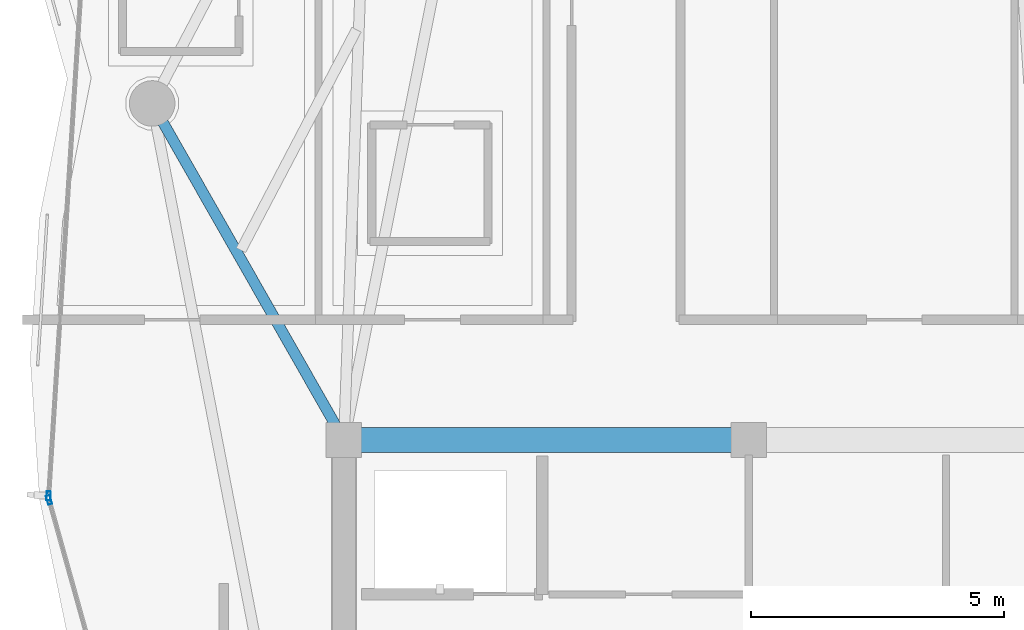
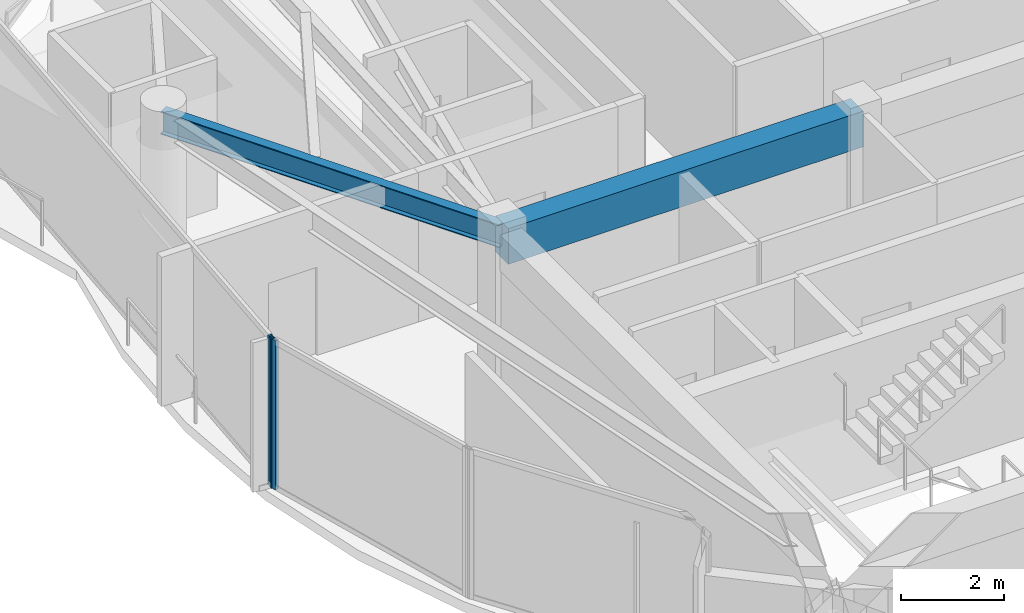
# One storey, part 9 of 30: 2 beams, 2 members, 2 elements without a shape of their own.
"""IFC4 building model written with IfcOpenShell, lengths in metres."""

from ifc_helpers import new_model, si_unit, direction, frame, origin, origin_2d, place, context, subcontext, project, spatial, rectangle, hollow_rectangle, i_section, extrude, material, layer, layer_set, material_profile, profile_set, type_object, element, aggregate, save


model = new_model("IFC4")

# Units and contexts
model_context = context("Model", 3, precision=1e-05, world=origin(), true_north=direction((0.0, 1.0)))
body_context = subcontext(model_context, "Body", "Model", "MODEL_VIEW")
ifc_project = project(units=[si_unit("LENGTHUNIT", "METRE"), si_unit("AREAUNIT", "SQUARE_METRE"), si_unit("VOLUMEUNIT", "CUBIC_METRE"), si_unit("PLANEANGLEUNIT", "RADIAN"), si_unit("MASSUNIT", "GRAM", prefix="KILO")], contexts=[model_context])

# Site, building, storey
site_placement = place(None, origin())
site = spatial("IfcSite", under=ifc_project, at=site_placement, CompositionType="ELEMENT")
building_placement = place(site_placement, origin())
building = spatial("IfcBuilding", under=site, at=building_placement, Name="Kazevale Care Tower and Concert Hall", CompositionType="ELEMENT")
storey_placement = place(building_placement, frame((0.0, 0.0, 258.60009765625)))
storey = spatial("IfcBuildingStorey", under=building, at=storey_placement, Name="L68", CompositionType="ELEMENT", Elevation=258.60009765625)

# Curtain wall, member
ifc_material_1 = material(Name="Aluminium 6063-T6 and Low-E Glass", Category="aluminium")
ifc_layer = layer(ifc_material_1, 0.179931640625)
ifc_layer_set = layer_set([ifc_layer], Name="Aluminium 6063-T6 and Low-E Glass")
curtain_wall_type = type_object("IfcCurtainWallType", Name="Waist & Upper Residential Curtain Wall CW-4", PredefinedType="NOTDEFINED", material=ifc_layer_set)
curtain_wall_1_placement = place(storey_placement, origin())
curtain_wall_1 = element("IfcCurtainWall", 1, at=curtain_wall_1_placement, inside=storey, type_object=curtain_wall_type, Name="cw:L68:f12", PredefinedType="NOTDEFINED")
ifc_material_2 = material(Name="Aluminium 6063-T6", Category="aluminium")
ifc_material_profile_1 = material_profile(ifc_material_2, hollow_rectangle(XDim=0.080078125, YDim=0.179931640625, WallThickness=0.0048828125, at=origin_2d()), Name="ALU80x180x5")
ifc_profile_set_1 = profile_set([ifc_material_profile_1], Name="Aluminium 6063-T6")
member_type = type_object("IfcMemberType", Name="CW-4 Mullion ALU80x180x5", PredefinedType="MULLION", material=ifc_profile_set_1)
member_1_placement = place(storey_placement, frame((16.1728515625, 35.215576171875, 0.0), z_axis=(0.0, 0.0, 1.0), x_axis=(-0.963194056491, -0.268807011704, 0.0)))
member_1 = element("IfcMember", 2, at=member_1_placement, type_object=member_type, Name="CW-4 mullion 2", PredefinedType="MULLION", context=body_context, shape_type="SweptSolid", body=[
    extrude(hollow_rectangle(XDim=0.080078125, YDim=0.179931640625, WallThickness=0.0048828125, at=origin_2d()), origin(), (0.0, 0.0, 1.0), 3.559814453125),
])
aggregate(curtain_wall_1, [member_1])

curtain_wall_2_placement = place(storey_placement, origin())
curtain_wall_2 = element("IfcCurtainWall", 3, at=curtain_wall_2_placement, inside=storey, type_object=curtain_wall_type, Name="cw:L68:f13", PredefinedType="NOTDEFINED")
member_2_placement = place(storey_placement, frame((16.16455078125, 35.2939453125, 0.0), z_axis=(0.0, 0.0, 1.0), x_axis=(-0.997979198047, 0.063541484604, 0.0)))
member_2 = element("IfcMember", 4, at=member_2_placement, type_object=member_type, Name="CW-4 mullion 1", PredefinedType="MULLION", context=body_context, shape_type="SweptSolid", body=[
    extrude(hollow_rectangle(XDim=0.080078125, YDim=0.179931640625, WallThickness=0.0048828125, at=origin_2d()), origin(), (0.0, 0.0, 1.0), 3.559814453125),
])
aggregate(curtain_wall_2, [member_2])

# Beams
ifc_material_3 = material(Name="Concrete C60", Category="concrete")
ifc_material_profile_2 = material_profile(ifc_material_3, rectangle(XDim=0.5, YDim=0.85009765625, at=origin_2d()), Name="RC-B500x850")
ifc_profile_set_2 = profile_set([ifc_material_profile_2], Name="Concrete C60")
beam_type_1 = type_object("IfcBeamType", Name="Core Coupling Beam RC500x850", PredefinedType="LINTEL", material=ifc_profile_set_2)
beam_1_placement = place(storey_placement, frame((30.0, 36.39990234375, 3.135009765625), z_axis=(-1.0, 0.0, 0.0), x_axis=(0.0, -1.0, 0.0)))
element("IfcBeam", 5, at=beam_1_placement, inside=storey, type_object=beam_type_1, Name="beam:L68:coretie:7", PredefinedType="LINTEL", context=body_context, shape_type="SweptSolid", body=[
    extrude(rectangle(XDim=0.5, YDim=0.85009765625, at=origin_2d()), origin(), (0.0, 0.0, 1.0), 8.0),
])
ifc_material_4 = material(Name="Steel ASTM A572 Gr 50", Category="steel")
ifc_material_profile_3 = material_profile(ifc_material_4, i_section(OverallWidth=0.2119140625, OverallDepth=0.5439453125, WebThickness=0.01318359375, FlangeThickness=0.021240234375, at=origin_2d()), Name="W530x123")
ifc_profile_set_3 = profile_set([ifc_material_profile_3], Name="Steel ASTM A572 Gr 50")
beam_type_2 = type_object("IfcBeamType", Name="Radial Floor Girder W530x123", PredefinedType="BEAM", material=ifc_profile_set_3)
beam_2_placement = place(storey_placement, frame((22.0, 36.39990234375, 3.287841796875), z_axis=(-0.495149357892, 0.868807869082, 0.0), x_axis=(-0.868807869082, -0.495149357892, 0.0)))
element("IfcBeam", 6, at=beam_2_placement, inside=storey, type_object=beam_type_2, Name="beam:L68:rad:09", PredefinedType="BEAM", context=body_context, shape_type="SweptSolid", body=[
    extrude(i_section(OverallWidth=0.2119140625, OverallDepth=0.5439453125, WebThickness=0.01318359375, FlangeThickness=0.021240234375, at=origin_2d()), origin(), (0.0, 0.0, 1.0), 7.654296875),
])

save(model, "model.ifc")
